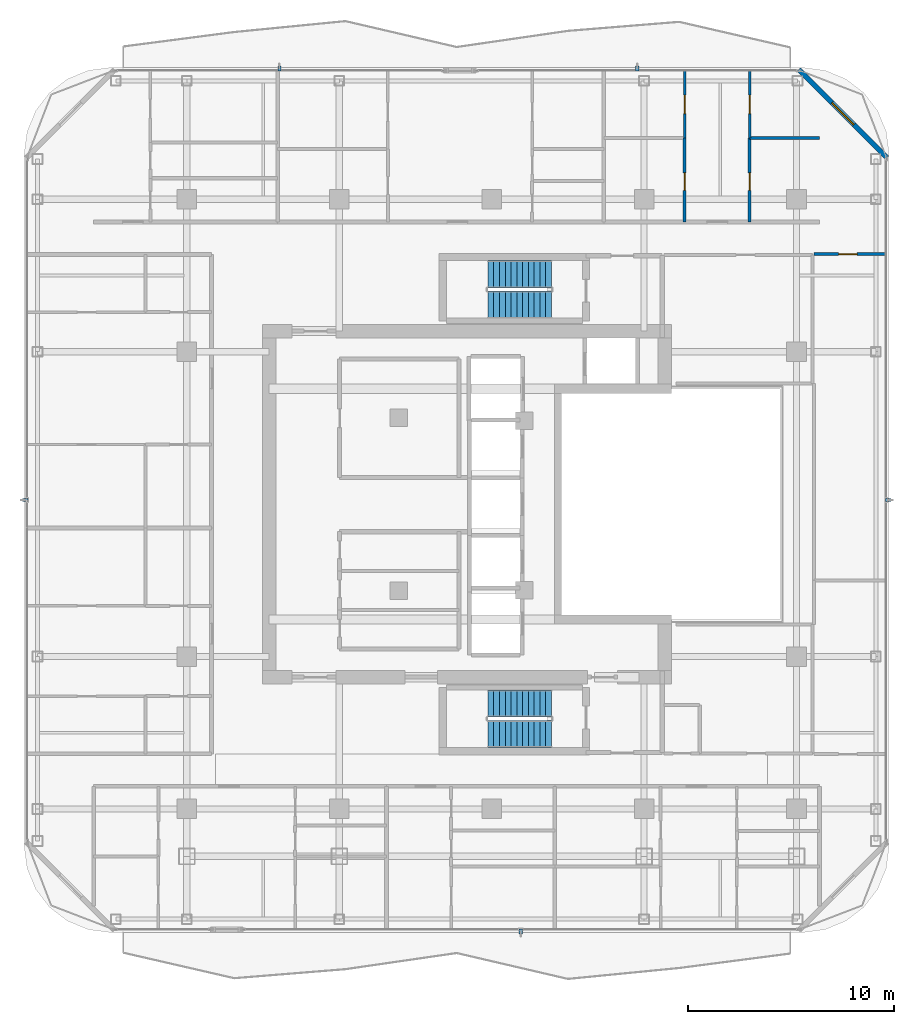
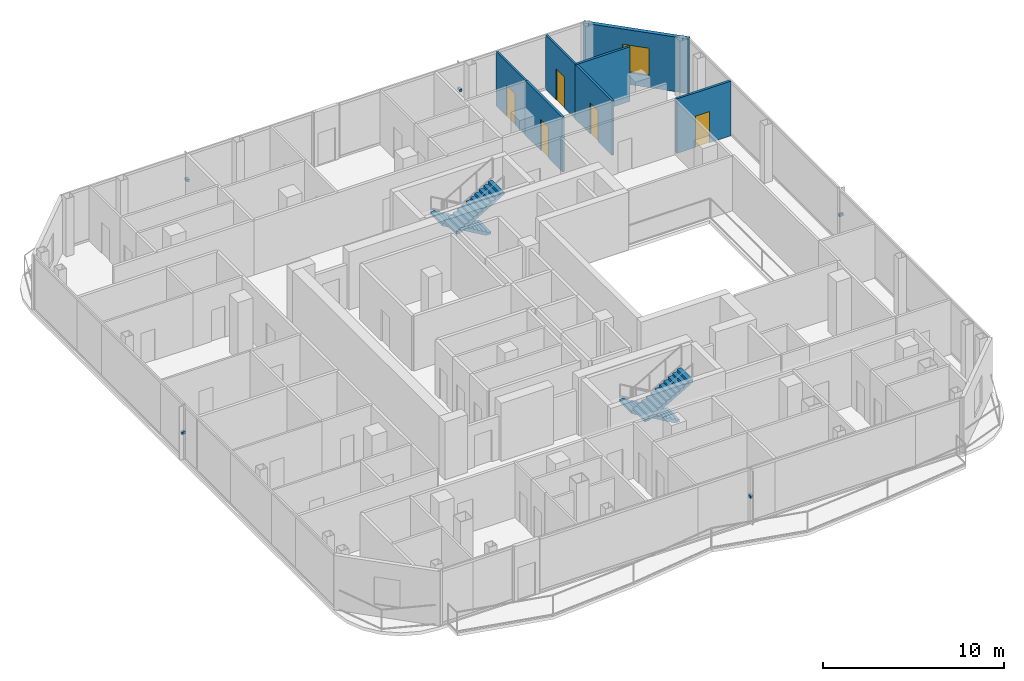
# One storey, part 21 of 26: 7 walls, 5 discrete accessories, 5 doors, 4 stair flights, 1 window, 6 openings, 2 elements without a shape of their own.
"""IFC4 building model written with IfcOpenShell, lengths in metres."""

from ifc_helpers import new_model, si_unit, direction, frame, frame_2d, origin, origin_2d, place, context, subcontext, project, spatial, polyline, rectangle, outline, extrude, material, layer, layer_set, type_object, element, fill, aggregate, save


model = new_model("IFC4")

# Units and contexts
model_context = context("Model", 3, precision=1e-05, world=origin(), true_north=direction((0.0, 1.0)))
body_context = subcontext(model_context, "Body", "Model", "MODEL_VIEW")
ifc_project = project(units=[si_unit("LENGTHUNIT", "METRE"), si_unit("AREAUNIT", "SQUARE_METRE"), si_unit("VOLUMEUNIT", "CUBIC_METRE"), si_unit("PLANEANGLEUNIT", "RADIAN"), si_unit("MASSUNIT", "GRAM", prefix="KILO")], contexts=[model_context])

# Site, building, storey
site_placement = place(None, origin())
site = spatial("IfcSite", under=ifc_project, at=site_placement, CompositionType="ELEMENT")
building_placement = place(site_placement, origin())
building = spatial("IfcBuilding", under=site, at=building_placement, Name="Khorvyn Point Tower", CompositionType="ELEMENT")
storey_placement = place(building_placement, frame((0.0, 0.0, 289.800048828125)))
storey = spatial("IfcBuildingStorey", under=building, at=storey_placement, Name="L71", CompositionType="ELEMENT", Elevation=289.800048828125)

# Wall, opening, window
ifc_material_1 = material(Name="Pale anodised aluminium rainscreen on steel stud", Category="steel")
ifc_layer_1 = layer(ifc_material_1, 0.239990234375)
ifc_layer_set_1 = layer_set([ifc_layer_1], Name="Anodised Aluminium Insulated Corner Spandrel Wall 240")
wall_type_1 = type_object("IfcWallType", Name="Anodised Aluminium Insulated Corner Spandrel Wall 240", PredefinedType="SOLIDWALL", material=ifc_layer_set_1)
wall_1_placement = place(storey_placement, frame((14.90771484375, 21.09228515625, 0.0), z_axis=(0.0, 0.0, 1.0), x_axis=(0.707106781187, -0.707106781187, 0.0)))
wall_1 = element("IfcWall", 1, at=wall_1_placement, inside=storey, type_object=wall_type_1, Name="L71 Rounded Corner Wall NE", PredefinedType="SOLIDWALL", context=body_context, shape_type="SweptSolid", body=[
    extrude(rectangle(XDim=6.059326171875, YDim=0.239990234375, at=frame_2d((3.02978515625, 0.0))), origin(), (0.0, 0.0, 1.0), 3.679931640625),
])
opening_1_placement = place(wall_1_placement, frame((2.27978515625, 0.0, 0.800048828125)))
opening_1 = element("IfcOpeningElement", 2, at=opening_1_placement, cuts=wall_1, Name="Opening WN-1518", PredefinedType="OPENING", context=body_context, shape_type="SweptSolid", body=[
    extrude(rectangle(XDim=1.5, YDim=1.85009765625, at=frame_2d((0.75, 0.925048828125))), frame((0.0, 0.1298828125, 0.0), z_axis=(0.0, -1.0, 0.0), x_axis=(1.0, 0.0, 0.0)), (0.0, 0.0, 1.0), 0.260009765625),
])
ifc_material_2 = material(Name="Anodised aluminium 6063-T6 and laminated Low-E glass", Category="aluminium")
window_type = type_object("IfcWindowType", Name="Anodised Aluminium Rounded-Corner Panoramic Window 1500x1850", PartitioningType="SINGLE_PANEL", PredefinedType="WINDOW", material=ifc_material_2)
window_placement = place(opening_1_placement, origin())
window = element("IfcWindow", 3, at=window_placement, inside=storey, type_object=window_type, Name="L71 Corner Panoramic Window NE", OverallHeight=1.85009765625, OverallWidth=1.5, PartitioningType="SINGLE_PANEL", PredefinedType="WINDOW", context=body_context, shape_type="SweptSolid", body=[
    extrude(rectangle(XDim=1.5, YDim=1.85009765625, at=frame_2d((0.75, 0.925048828125))), frame((0.0, 0.030029296875, 0.0), z_axis=(0.0, -1.0, 0.0), x_axis=(1.0, 0.0, 0.0)), (0.0, 0.0, 1.0), 0.06005859375),
])
fill(opening_1, window)

# Wall, opening, door
ifc_material_3 = material(Name="Gypsum plasterboard on steel stud", Category="steel")
ifc_layer_2 = layer(ifc_material_3, 0.1201171875)
ifc_layer_set_2 = layer_set([ifc_layer_2], Name="Gypsum Acoustic Stud Room Partition Wall 120")
wall_type_2 = type_object("IfcWallType", Name="Gypsum Acoustic Stud Room Partition Wall 120", PredefinedType="PARTITIONING", material=ifc_layer_set_2)
wall_2_placement = place(storey_placement, frame((9.366943359375, 17.781005859375, 0.0), z_axis=(0.0, 0.0, 1.0), x_axis=(0.0, 1.0, 0.0)))
wall_2 = element("IfcWall", 4, at=wall_2_placement, inside=storey, type_object=wall_type_2, Name="Wall", PredefinedType="PARTITIONING", context=body_context, shape_type="SweptSolid", body=[
    extrude(rectangle(XDim=3.2490234375, YDim=0.1201171875, at=frame_2d((1.62451171875, 0.0))), origin(), (0.0, 0.0, 1.0), 3.679931640625),
])
opening_2_placement = place(wall_2_placement, frame((1.174560546875, 0.0, 0.0)))
opening_2 = element("IfcOpeningElement", 5, at=opening_2_placement, cuts=wall_2, Name="Opening ID-RM90", PredefinedType="OPENING", context=body_context, shape_type="SweptSolid", body=[
    extrude(rectangle(XDim=0.89990234375, YDim=2.10009765625, at=frame_2d((0.449951171875, 1.050048828125))), frame((0.0, 0.070068359375, 0.0), z_axis=(0.0, -1.0, 0.0), x_axis=(1.0, 0.0, 0.0)), (0.0, 0.0, 1.0), 0.14013671875),
])
ifc_material_4 = material(Name="Engineered oak veneer timber", Category="wood")
door_type_1 = type_object("IfcDoorType", Name="Flush Engineered Timber Room Door 900x2100", OperationType="NOTDEFINED", PredefinedType="DOOR", material=ifc_material_4)
door_1_placement = place(opening_2_placement, origin())
door_1 = element("IfcDoor", 6, at=door_1_placement, inside=storey, type_object=door_type_1, Name="Door", OperationType="SINGLE_SWING_RIGHT", OverallHeight=2.10009765625, OverallWidth=0.89990234375, PredefinedType="DOOR", context=body_context, shape_type="SweptSolid", body=[
    extrude(rectangle(XDim=0.89990234375, YDim=2.10009765625, at=frame_2d((0.449951171875, 1.050048828125))), frame((0.0, 0.02490234375, 0.0), z_axis=(0.0, -1.0, 0.0), x_axis=(1.0, 0.0, 0.0)), (0.0, 0.0, 1.0), 0.050048828125),
])
fill(opening_2, door_1)

wall_3_placement = place(storey_placement, frame((12.527099609375, 17.781005859375, 0.0), z_axis=(0.0, 0.0, 1.0), x_axis=(0.0, 1.0, 0.0)))
wall_3 = element("IfcWall", 7, at=wall_3_placement, inside=storey, type_object=wall_type_2, Name="Wall", PredefinedType="PARTITIONING", context=body_context, shape_type="SweptSolid", body=[
    extrude(rectangle(XDim=3.2490234375, YDim=0.1201171875, at=frame_2d((1.62451171875, 0.0))), origin(), (0.0, 0.0, 1.0), 3.679931640625),
])
opening_3_placement = place(wall_3_placement, frame((1.174560546875, 0.0, 0.0)))
opening_3 = element("IfcOpeningElement", 8, at=opening_3_placement, cuts=wall_3, Name="Opening ID-RM90", PredefinedType="OPENING", context=body_context, shape_type="SweptSolid", body=[
    extrude(rectangle(XDim=0.89990234375, YDim=2.10009765625, at=frame_2d((0.449951171875, 1.050048828125))), frame((0.0, 0.070068359375, 0.0), z_axis=(0.0, -1.0, 0.0), x_axis=(1.0, 0.0, 0.0)), (0.0, 0.0, 1.0), 0.14013671875),
])
door_2_placement = place(opening_3_placement, origin())
door_2 = element("IfcDoor", 9, at=door_2_placement, inside=storey, type_object=door_type_1, Name="Door", OperationType="SINGLE_SWING_RIGHT", OverallHeight=2.10009765625, OverallWidth=0.89990234375, PredefinedType="DOOR", context=body_context, shape_type="SweptSolid", body=[
    extrude(rectangle(XDim=0.89990234375, YDim=2.10009765625, at=frame_2d((0.449951171875, 1.050048828125))), frame((0.0, 0.02490234375, 0.0), z_axis=(0.0, -1.0, 0.0), x_axis=(1.0, 0.0, 0.0)), (0.0, 0.0, 1.0), 0.050048828125),
])
fill(opening_3, door_2)

ifc_material_5 = material(Name="Moisture-resistant gypsum and cement board", Category="gypsum")
ifc_layer_3 = layer(ifc_material_5, 0.14990234375)
ifc_layer_set_3 = layer_set([ifc_layer_3], Name="Moisture-Resistant Wet-Room Partition Wall 150")
wall_type_3 = type_object("IfcWallType", Name="Moisture-Resistant Wet-Room Partition Wall 150", PredefinedType="PARTITIONING", material=ifc_layer_set_3)
wall_4_placement = place(storey_placement, frame((9.366943359375, 13.699951171875, 0.0), z_axis=(0.0, 0.0, 1.0), x_axis=(0.0, 1.0, 0.0)))
wall_4 = element("IfcWall", 10, at=wall_4_placement, inside=storey, type_object=wall_type_3, Name="Wall", PredefinedType="PARTITIONING", context=body_context, shape_type="SweptSolid", body=[
    extrude(rectangle(XDim=4.0810546875, YDim=0.14990234375, at=frame_2d((2.04052734375, 0.0))), origin(), (0.0, 0.0, 1.0), 3.679931640625),
])
opening_4_placement = place(wall_4_placement, frame((1.52978515625, 0.0, 0.0)))
opening_4 = element("IfcOpeningElement", 11, at=opening_4_placement, cuts=wall_4, Name="Opening ID-WC85", PredefinedType="OPENING", context=body_context, shape_type="SweptSolid", body=[
    extrude(rectangle(XDim=0.85009765625, YDim=2.10009765625, at=frame_2d((0.425048828125, 1.050048828125))), frame((0.0, 0.0849609375, 0.0), z_axis=(0.0, -1.0, 0.0), x_axis=(1.0, 0.0, 0.0)), (0.0, 0.0, 1.0), 0.169921875),
])
ifc_material_6 = material(Name="High-pressure laminate on moisture-resistant core", Category="wood")
door_type_2 = type_object("IfcDoorType", Name="Moisture-Resistant Accessible Washroom Door 850x2100", OperationType="NOTDEFINED", PredefinedType="DOOR", material=ifc_material_6)
door_3_placement = place(opening_4_placement, origin())
door_3 = element("IfcDoor", 12, at=door_3_placement, inside=storey, type_object=door_type_2, Name="Door", OperationType="SINGLE_SWING_LEFT", OverallHeight=2.10009765625, OverallWidth=0.85009765625, PredefinedType="DOOR", context=body_context, shape_type="SweptSolid", body=[
    extrude(rectangle(XDim=0.85009765625, YDim=2.10009765625, at=frame_2d((0.425048828125, 1.050048828125))), frame((0.0, 0.02490234375, 0.0), z_axis=(0.0, -1.0, 0.0), x_axis=(1.0, 0.0, 0.0)), (0.0, 0.0, 1.0), 0.050048828125),
])
fill(opening_4, door_3)

wall_5_placement = place(storey_placement, frame((12.527099609375, 13.699951171875, 0.0), z_axis=(0.0, 0.0, 1.0), x_axis=(0.0, 1.0, 0.0)))
wall_5 = element("IfcWall", 13, at=wall_5_placement, inside=storey, type_object=wall_type_3, Name="Wall", PredefinedType="PARTITIONING", context=body_context, shape_type="SweptSolid", body=[
    extrude(rectangle(XDim=4.0810546875, YDim=0.14990234375, at=frame_2d((2.04052734375, 0.0))), origin(), (0.0, 0.0, 1.0), 3.679931640625),
])
opening_5_placement = place(wall_5_placement, frame((1.52978515625, 0.0, 0.0)))
opening_5 = element("IfcOpeningElement", 14, at=opening_5_placement, cuts=wall_5, Name="Opening ID-WC85", PredefinedType="OPENING", context=body_context, shape_type="SweptSolid", body=[
    extrude(rectangle(XDim=0.85009765625, YDim=2.10009765625, at=frame_2d((0.425048828125, 1.050048828125))), frame((0.0, 0.0849609375, 0.0), z_axis=(0.0, -1.0, 0.0), x_axis=(1.0, 0.0, 0.0)), (0.0, 0.0, 1.0), 0.169921875),
])
door_4_placement = place(opening_5_placement, origin())
door_4 = element("IfcDoor", 15, at=door_4_placement, inside=storey, type_object=door_type_2, Name="Door", OperationType="SINGLE_SWING_LEFT", OverallHeight=2.10009765625, OverallWidth=0.85009765625, PredefinedType="DOOR", context=body_context, shape_type="SweptSolid", body=[
    extrude(rectangle(XDim=0.85009765625, YDim=2.10009765625, at=frame_2d((0.425048828125, 1.050048828125))), frame((0.0, 0.02490234375, 0.0), z_axis=(0.0, -1.0, 0.0), x_axis=(1.0, 0.0, 0.0)), (0.0, 0.0, 1.0), 0.050048828125),
])
fill(opening_5, door_4)

wall_6_placement = place(storey_placement, frame((15.64990234375, 12.139892578125, 0.0), z_axis=(0.0, 0.0, 1.0), x_axis=(1.0, 0.0, 0.0)))
wall_6 = element("IfcWall", 16, at=wall_6_placement, inside=storey, type_object=wall_type_3, Name="Wall", PredefinedType="PARTITIONING", context=body_context, shape_type="SweptSolid", body=[
    extrude(rectangle(XDim=3.47021484375, YDim=0.14990234375, at=frame_2d((1.735107421875, 0.0))), origin(), (0.0, 0.0, 1.0), 3.679931640625),
])
opening_6_placement = place(wall_6_placement, frame((1.198486328125, 0.0, 0.0)))
opening_6 = element("IfcOpeningElement", 17, at=opening_6_placement, cuts=wall_6, Name="Opening ID-RM90", PredefinedType="OPENING", context=body_context, shape_type="SweptSolid", body=[
    extrude(rectangle(XDim=0.89990234375, YDim=2.10009765625, at=frame_2d((0.449951171875, 1.050048828125))), frame((0.0, 0.0849609375, 0.0), z_axis=(0.0, -1.0, 0.0), x_axis=(1.0, 0.0, 0.0)), (0.0, 0.0, 1.0), 0.169921875),
])
door_5_placement = place(opening_6_placement, origin())
door_5 = element("IfcDoor", 18, at=door_5_placement, inside=storey, type_object=door_type_1, Name="Door", OperationType="SINGLE_SWING_RIGHT", OverallHeight=2.10009765625, OverallWidth=0.89990234375, PredefinedType="DOOR", context=body_context, shape_type="SweptSolid", body=[
    extrude(rectangle(XDim=0.89990234375, YDim=2.10009765625, at=frame_2d((0.449951171875, 1.050048828125))), frame((0.0, 0.02490234375, 0.0), z_axis=(0.0, -1.0, 0.0), x_axis=(1.0, 0.0, 0.0)), (0.0, 0.0, 1.0), 0.050048828125),
])
fill(opening_6, door_5)

# Wall
wall_7_placement = place(storey_placement, frame((12.527099609375, 17.781005859375, 0.0), z_axis=(0.0, 0.0, 1.0), x_axis=(1.0, 0.0, 0.0)))
element("IfcWall", 19, at=wall_7_placement, inside=storey, type_object=wall_type_3, Name="Wall", PredefinedType="PARTITIONING", context=body_context, shape_type="SweptSolid", body=[
    extrude(rectangle(XDim=3.392822265625, YDim=0.14990234375, at=frame_2d((1.6962890625, 0.0))), origin(), (0.0, 0.0, 1.0), 3.679931640625),
])

# Stair, stair flights
ifc_material_7 = material(Name="Concrete C40/50", Category="concrete")
stair_type = type_object("IfcStairType", Name="Tower Concrete C40/50 Dogleg Exit Stair", PredefinedType="HALF_TURN_STAIR", material=ifc_material_7)
stair_1_placement = place(storey_placement, origin())
stair_1 = element("IfcStair", 20, at=stair_1_placement, inside=storey, type_object=stair_type, Name="L71 Tower Smokeproof Exit Stair South", PredefinedType="HALF_TURN_STAIR")
stair_flight_type = type_object("IfcStairFlightType", Name="Tower Concrete C40/50 Stair Flight", PredefinedType="STRAIGHT", material=ifc_material_7)
stair_flight_1_placement = place(storey_placement, frame((2.89990234375, -9.679931640625, 0.0), z_axis=(0.0, 0.0, 1.0), x_axis=(-1.0, 0.0, 0.0)))
stair_flight_1 = element("IfcStairFlight", 21, at=stair_flight_1_placement, type_object=stair_flight_type, Name="ST-01 flight 1", NumberOfRisers=12, NumberOfTreads=11, PredefinedType="STRAIGHT", RiserHeight=0.1625, TreadLength=0.28, context=body_context, shape_type="SweptSolid", body=[
    extrude(outline(polyline([(0.0, 0.0), (0.0, 0.16259765625), (0.280029296875, 0.16259765625), (0.280029296875, 0.324951171875), (0.56005859375, 0.324951171875), (0.56005859375, 0.487548828125), (0.840087890625, 0.487548828125), (0.840087890625, 0.64990234375), (1.1201171875, 0.64990234375), (1.1201171875, 0.8125), (1.39990234375, 0.8125), (1.39990234375, 0.97509765625), (1.679931640625, 0.97509765625), (1.679931640625, 1.137451171875), (1.9599609375, 1.137451171875), (1.9599609375, 1.300048828125), (2.239990234375, 1.300048828125), (2.239990234375, 1.46240234375), (2.52001953125, 1.46240234375), (2.52001953125, 1.625), (2.800048828125, 1.625), (2.800048828125, 1.78759765625), (3.080078125, 1.78759765625), (3.080078125, 1.949951171875), (3.080078125, 1.6142578125), (0.298583984375, 0.0), (0.0, 0.0)])), frame((0.0, 0.66015625, 0.0), z_axis=(0.0, -1.0, 0.0), x_axis=(1.0, 0.0, 0.0)), (0.0, 0.0, 1.0), 1.320068359375),
])
stair_flight_2_placement = place(storey_placement, frame((-0.179931640625, -11.159912109375, 1.949951171875), z_axis=(0.0, 0.0, 1.0), x_axis=(1.0, 0.0, 0.0)))
stair_flight_2 = element("IfcStairFlight", 22, at=stair_flight_2_placement, type_object=stair_flight_type, Name="ST-01 flight 2", NumberOfRisers=12, NumberOfTreads=11, PredefinedType="STRAIGHT", RiserHeight=0.1625, TreadLength=0.28, context=body_context, shape_type="SweptSolid", body=[
    extrude(outline(polyline([(0.0, 0.0), (0.0, 0.16259765625), (0.280029296875, 0.16259765625), (0.280029296875, 0.324951171875), (0.56005859375, 0.324951171875), (0.56005859375, 0.487548828125), (0.840087890625, 0.487548828125), (0.840087890625, 0.64990234375), (1.1201171875, 0.64990234375), (1.1201171875, 0.8125), (1.39990234375, 0.8125), (1.39990234375, 0.97509765625), (1.679931640625, 0.97509765625), (1.679931640625, 1.137451171875), (1.9599609375, 1.137451171875), (1.9599609375, 1.300048828125), (2.239990234375, 1.300048828125), (2.239990234375, 1.46240234375), (2.52001953125, 1.46240234375), (2.52001953125, 1.625), (2.800048828125, 1.625), (2.800048828125, 1.78759765625), (3.080078125, 1.78759765625), (3.080078125, 1.949951171875), (3.080078125, 1.6142578125), (0.298583984375, 0.0), (0.0, 0.0)])), frame((0.0, 0.66015625, 0.0), z_axis=(0.0, -1.0, 0.0), x_axis=(1.0, 0.0, 0.0)), (0.0, 0.0, 1.0), 1.320068359375),
])
aggregate(stair_1, [stair_flight_1, stair_flight_2])

stair_2_placement = place(storey_placement, origin())
stair_2 = element("IfcStair", 23, at=stair_2_placement, inside=storey, type_object=stair_type, Name="L71 Tower Smokeproof Exit Stair North", PredefinedType="HALF_TURN_STAIR")
stair_flight_3_placement = place(storey_placement, frame((2.89990234375, 11.159912109375, 0.0), z_axis=(0.0, 0.0, 1.0), x_axis=(-1.0, 0.0, 0.0)))
stair_flight_3 = element("IfcStairFlight", 24, at=stair_flight_3_placement, type_object=stair_flight_type, Name="ST-02 flight 1", NumberOfRisers=12, NumberOfTreads=11, PredefinedType="STRAIGHT", RiserHeight=0.1625, TreadLength=0.28, context=body_context, shape_type="SweptSolid", body=[
    extrude(outline(polyline([(0.0, 0.0), (0.0, 0.16259765625), (0.280029296875, 0.16259765625), (0.280029296875, 0.324951171875), (0.56005859375, 0.324951171875), (0.56005859375, 0.487548828125), (0.840087890625, 0.487548828125), (0.840087890625, 0.64990234375), (1.1201171875, 0.64990234375), (1.1201171875, 0.8125), (1.39990234375, 0.8125), (1.39990234375, 0.97509765625), (1.679931640625, 0.97509765625), (1.679931640625, 1.137451171875), (1.9599609375, 1.137451171875), (1.9599609375, 1.300048828125), (2.239990234375, 1.300048828125), (2.239990234375, 1.46240234375), (2.52001953125, 1.46240234375), (2.52001953125, 1.625), (2.800048828125, 1.625), (2.800048828125, 1.78759765625), (3.080078125, 1.78759765625), (3.080078125, 1.949951171875), (3.080078125, 1.6142578125), (0.298583984375, 0.0), (0.0, 0.0)])), frame((0.0, 0.66015625, 0.0), z_axis=(0.0, -1.0, 0.0), x_axis=(1.0, 0.0, 0.0)), (0.0, 0.0, 1.0), 1.320068359375),
])
stair_flight_4_placement = place(storey_placement, frame((-0.179931640625, 9.679931640625, 1.949951171875), z_axis=(0.0, 0.0, 1.0), x_axis=(1.0, 0.0, 0.0)))
stair_flight_4 = element("IfcStairFlight", 25, at=stair_flight_4_placement, type_object=stair_flight_type, Name="ST-02 flight 2", NumberOfRisers=12, NumberOfTreads=11, PredefinedType="STRAIGHT", RiserHeight=0.1625, TreadLength=0.28, context=body_context, shape_type="SweptSolid", body=[
    extrude(outline(polyline([(0.0, 0.0), (0.0, 0.16259765625), (0.280029296875, 0.16259765625), (0.280029296875, 0.324951171875), (0.56005859375, 0.324951171875), (0.56005859375, 0.487548828125), (0.840087890625, 0.487548828125), (0.840087890625, 0.64990234375), (1.1201171875, 0.64990234375), (1.1201171875, 0.8125), (1.39990234375, 0.8125), (1.39990234375, 0.97509765625), (1.679931640625, 0.97509765625), (1.679931640625, 1.137451171875), (1.9599609375, 1.137451171875), (1.9599609375, 1.300048828125), (2.239990234375, 1.300048828125), (2.239990234375, 1.46240234375), (2.52001953125, 1.46240234375), (2.52001953125, 1.625), (2.800048828125, 1.625), (2.800048828125, 1.78759765625), (3.080078125, 1.78759765625), (3.080078125, 1.949951171875), (3.080078125, 1.6142578125), (0.298583984375, 0.0), (0.0, 0.0)])), frame((0.0, 0.66015625, 0.0), z_axis=(0.0, -1.0, 0.0), x_axis=(1.0, 0.0, 0.0)), (0.0, 0.0, 1.0), 1.320068359375),
])
aggregate(stair_2, [stair_flight_3, stair_flight_4])

# Discrete accessories
ifc_material_8 = material(Name="Stainless steel 1.4401", Category="steel")
discrete_accessory_type = type_object("IfcDiscreteAccessoryType", Name="Stainless Steel 316 Facade Fin Fixing Bracket", PredefinedType="BRACKET", material=ifc_material_8)
for number, where, z_axis, x_axis, name in (
    (26, (1.405029296875, -20.75, 1.759765625), (0.0, 0.0, 1.0), (-1.0, 0.0, 0.0), "L71 Solar Fin Fixing Bracket 01"),
    (27, (-10.304931640625, 21.14990234375, 1.759765625), (0.0, 0.0, 1.0), (1.0, 0.0, 0.0), "L71 Solar Fin Fixing Bracket 01"),
    (28, (7.06494140625, 21.14990234375, 1.759765625), (0.0, 0.0, 1.0), (1.0, 0.0, 0.0), "L71 Solar Fin Fixing Bracket 01"),
    (29, (-22.64990234375, 0.199951171875, 1.759765625), (0.0, 0.0, 1.0), (0.0, 1.0, 0.0), "L71 Solar Fin Fixing Bracket 01"),
    (30, (19.25, 0.199951171875, 1.759765625), (0.0, 0.0, 1.0), (0.0, -1.0, 0.0), "L71 Solar Fin Fixing Bracket 01"),
):
    element("IfcDiscreteAccessory", number, at=place(storey_placement, frame(where, z_axis=z_axis, x_axis=x_axis)), inside=storey, type_object=discrete_accessory_type, Name=name, PredefinedType="BRACKET", context=body_context, shape_type="SweptSolid", body=[
        extrude(rectangle(XDim=0.159912109375, YDim=0.260009765625, at=origin_2d()), origin(), (0.0, 0.0, 1.0), 0.159912109375),
    ])

save(model, "model.ifc")
